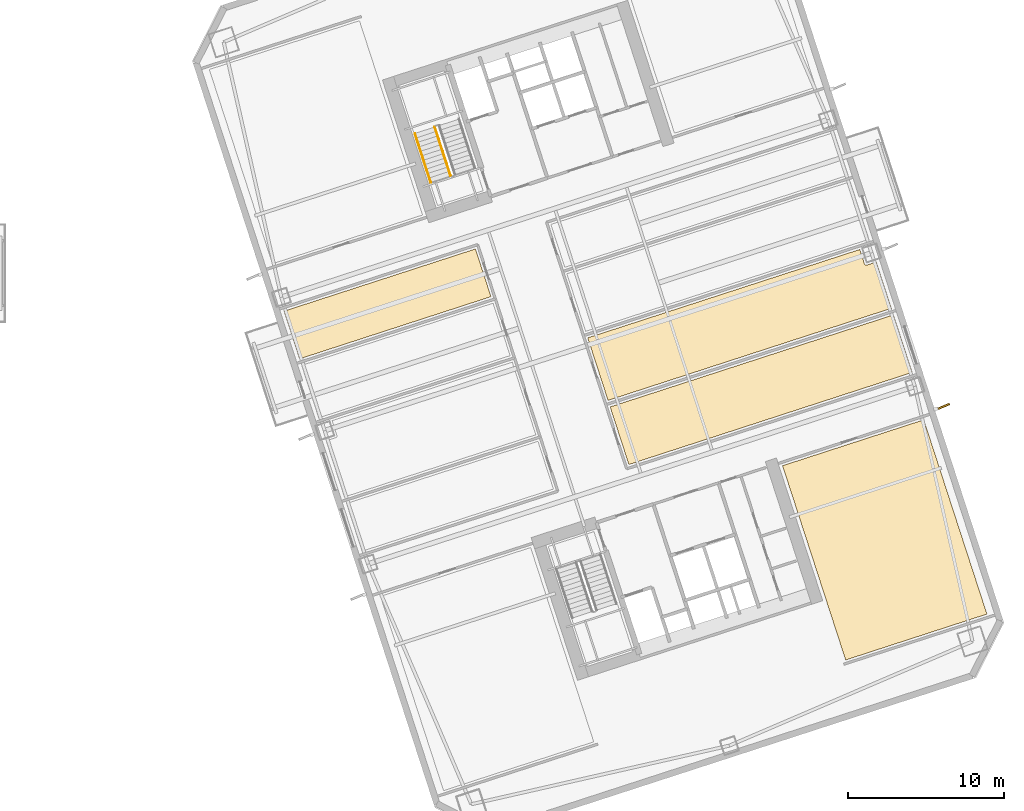
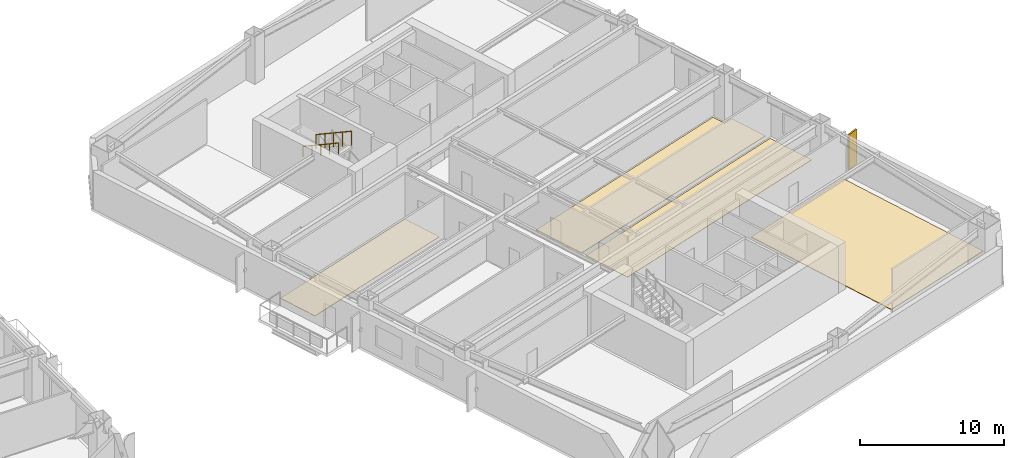
# One storey, part 19 of 21: 4 coverings, 2 railings, 1 shading device.
"""IFC4 building model written with IfcOpenShell, lengths in metres."""

from ifc_helpers import new_model, si_unit, direction, frame, origin, origin_2d, place, context, subcontext, project, spatial, polyline, rectangle, circle, outline, extrude, material, layer, layer_set, type_object, element, save


model = new_model("IFC4")

# Units and contexts
model_context = context("Model", 3, precision=1e-05, world=origin(), true_north=direction((0.0, 1.0)))
body_context = subcontext(model_context, "Body", "Model", "MODEL_VIEW")
ifc_project = project(units=[si_unit("LENGTHUNIT", "METRE"), si_unit("AREAUNIT", "SQUARE_METRE"), si_unit("VOLUMEUNIT", "CUBIC_METRE"), si_unit("PLANEANGLEUNIT", "RADIAN"), si_unit("MASSUNIT", "GRAM", prefix="KILO")], contexts=[model_context])

# Site, building, storey
site_placement = place(None, origin())
site = spatial("IfcSite", under=ifc_project, at=site_placement, CompositionType="ELEMENT")
building_placement = place(site_placement, origin())
building = spatial("IfcBuilding", under=site, at=building_placement, Name="Qiaolan Cultural Towers", CompositionType="ELEMENT")
storey_placement = place(building_placement, frame((0.0, 0.0, 34.0)))
storey = spatial("IfcBuildingStorey", under=building, at=storey_placement, Name="L07", CompositionType="ELEMENT", Elevation=34.0)

# Coverings
ifc_material_1 = material(Name="Honed Terrazzo & Raised Access Flooring", Category="concrete")
ifc_layer_1 = layer(ifc_material_1, 0.0400390625)
ifc_layer_set_1 = layer_set([ifc_layer_1], Name="Honed Terrazzo & Raised Access Flooring")
covering_type = type_object("IfcCoveringType", Name="COV-FLR-STONE", PredefinedType="FLOORING", material=ifc_layer_set_1)
covering_1_placement = place(storey_placement, origin())
element("IfcCovering", 1, at=covering_1_placement, inside=storey, type_object=covering_type, Name="L07 Corner Curatorial Office Finish Flooring", PredefinedType="FLOORING", context=body_context, shape_type="SweptSolid", body=[
    extrude(outline(polyline([(114.951171875, 16.525146484375), (110.900146484375, 28.993408203125), (101.83642578125, 26.048583984375), (105.8876953125, 13.580078125), (114.951171875, 16.525146484375)])), origin(), (0.0, 0.0, 1.0), 0.0400390625),
])
covering_2_placement = place(storey_placement, origin())
element("IfcCovering", 2, at=covering_2_placement, inside=storey, type_object=covering_type, Name="L07 Gallery Exhibition Room Finish Flooring", PredefinedType="FLOORING", context=body_context, shape_type="SweptSolid", body=[
    extrude(outline(polyline([(83.12353515625, 36.89599609375), (82.128173828125, 39.959228515625), (69.845458984375, 35.96826171875), (70.840576171875, 32.905029296875), (83.12353515625, 36.89599609375)])), origin(), (0.0, 0.0, 1.0), 0.0400390625),
])
covering_3_placement = place(storey_placement, origin())
element("IfcCovering", 3, at=covering_3_placement, inside=storey, type_object=covering_type, Name="L07 Design Office Finish Flooring", PredefinedType="FLOORING", context=body_context, shape_type="SweptSolid", body=[
    extrude(outline(polyline([(110.154541015625, 32.03173828125), (108.95361328125, 35.72802734375), (90.774169921875, 29.821044921875), (91.97509765625, 26.125), (110.154541015625, 32.03173828125)])), origin(), (0.0, 0.0, 1.0), 0.0400390625),
])
covering_4_placement = place(storey_placement, origin())
element("IfcCovering", 4, at=covering_4_placement, inside=storey, type_object=covering_type, Name="L07 Boardroom Finish Flooring", PredefinedType="FLOORING", context=body_context, shape_type="SweptSolid", body=[
    extrude(outline(polyline([(89.33447265625, 34.252197265625), (90.63818359375, 30.239501953125), (108.817626953125, 36.146484375), (107.8525390625, 39.1171875), (107.243896484375, 38.91943359375), (107.232421875, 38.916259765625), (107.220703125, 38.914306640625), (107.208984375, 38.91357421875), (107.197265625, 38.913818359375), (107.185546875, 38.915283203125), (107.174072265625, 38.91796875), (107.1630859375, 38.921875), (107.15234375, 38.926513671875), (107.14208984375, 38.932373046875), (107.13232421875, 38.939208984375), (107.12353515625, 38.947021484375), (107.115478515625, 38.95556640625), (107.108154296875, 38.96484375), (107.10205078125, 38.974853515625), (107.0966796875, 38.9853515625), (107.092529296875, 38.996337890625), (106.791015625, 39.92431640625), (89.33447265625, 34.252197265625)])), origin(), (0.0, 0.0, 1.0), 0.0400390625),
])

# Railings
ifc_material_2 = material(Name="Galvanized Painted Steel Stair Guardrail", Category="steel")
railing_type_1 = type_object("IfcRailingType", Name="RL-STAIR-GRD", PredefinedType="GUARDRAIL", material=ifc_material_2)
railing_1_placement = place(storey_placement, frame((79.51708984375, 47.785400390625, 2.166748046875)))
element("IfcRailing", 5, at=railing_1_placement, inside=storey, type_object=railing_type_1, Name="L07 ST-E2 stair guard 3", PredefinedType="GUARDRAIL", context=body_context, shape_type="SweptSolid", body=[
    extrude(circle(Radius=0.02392578125, at=origin_2d()), frame((0.0, 0.0, 1.17578125), z_axis=(0.27012599593, -0.831395691566, 0.485605962039), x_axis=(0.951060160437, 0.309005778636, 0.0)), (0.0, 0.0, 1.0), 3.775146484375),
    extrude(circle(Radius=0.02099609375, at=origin_2d()), origin(), (0.0, 0.0, 1.0), 1.15185546875),
    extrude(circle(Radius=0.02099609375, at=origin_2d()), frame((0.2548828125, -0.78466796875, 0.458251953125)), (0.0, 0.0, 1.0), 1.15185546875),
    extrude(circle(Radius=0.02099609375, at=origin_2d()), frame((0.509765625, -1.5693359375, 0.91650390625)), (0.0, 0.0, 1.0), 1.15185546875),
    extrude(circle(Radius=0.02099609375, at=origin_2d()), frame((0.764892578125, -2.35400390625, 1.375)), (0.0, 0.0, 1.0), 1.15185546875),
    extrude(circle(Radius=0.02099609375, at=origin_2d()), frame((1.019775390625, -3.138671875, 1.833251953125)), (0.0, 0.0, 1.0), 1.15185546875),
])
ifc_material_3 = material(Name="Stainless Steel S30408 Tubular Handrail", Category="steel")
railing_type_2 = type_object("IfcRailingType", Name="RL-STAIR-HR", PredefinedType="HANDRAIL", material=ifc_material_3)
railing_2_placement = place(storey_placement, frame((78.24267578125, 47.37109375, 2.166748046875)))
element("IfcRailing", 6, at=railing_2_placement, inside=storey, type_object=railing_type_2, Name="L07 ST-E2 stair handrail 2", PredefinedType="HANDRAIL", context=body_context, shape_type="SweptSolid", body=[
    extrude(circle(Radius=0.02392578125, at=origin_2d()), frame((0.0, 0.0, 0.8759765625), z_axis=(0.270140520196, -0.831375721119, 0.485632072336), x_axis=(0.951053095941, 0.309027520945, 0.0)), (0.0, 0.0, 1.0), 3.77490234375),
    extrude(circle(Radius=0.02099609375, at=origin_2d()), origin(), (0.0, 0.0, 1.0), 0.851806640625),
    extrude(circle(Radius=0.02099609375, at=origin_2d()), frame((0.2548828125, -0.78466796875, 0.458251953125)), (0.0, 0.0, 1.0), 0.851806640625),
    extrude(circle(Radius=0.02099609375, at=origin_2d()), frame((0.509765625, -1.5693359375, 0.91650390625)), (0.0, 0.0, 1.0), 0.851806640625),
    extrude(circle(Radius=0.02099609375, at=origin_2d()), frame((0.764892578125, -2.353759765625, 1.375)), (0.0, 0.0, 1.0), 0.851806640625),
    extrude(circle(Radius=0.02099609375, at=origin_2d()), frame((1.019775390625, -3.138427734375, 1.833251953125)), (0.0, 0.0, 1.0), 0.851806640625),
])

# Shading device
ifc_material_4 = material(Name="Dark Basalt Honed Precast Terracotta Fin", Category="masonry")
ifc_layer_2 = layer(ifc_material_4, 0.1201171875)
ifc_layer_set_2 = layer_set([ifc_layer_2], Name="Dark Basalt Honed Precast Terracotta Fin")
shading_device_type = type_object("IfcShadingDeviceType", Name="SHD-FIN-DARK", PredefinedType="USERDEFINED", material=ifc_layer_set_2)
shading_device_placement = place(storey_placement, frame((112.13037109375, 29.834716796875, 0.10009765625), z_axis=(0.0, 0.0, 1.0), x_axis=(0.919613873492, 0.392823527404, 0.0)))
element("IfcShadingDevice", 7, at=shading_device_placement, inside=storey, type_object=shading_device_type, Name="L07 T2 Expressive Precast Vertical Fin E1", ObjectType="FIN", PredefinedType="USERDEFINED", context=body_context, shape_type="SweptSolid", body=[
    extrude(rectangle(XDim=0.89990234375, YDim=0.1201171875, at=origin_2d()), origin(), (0.0, 0.0, 1.0), 2.9599609375),
])

save(model, "model.ifc")
